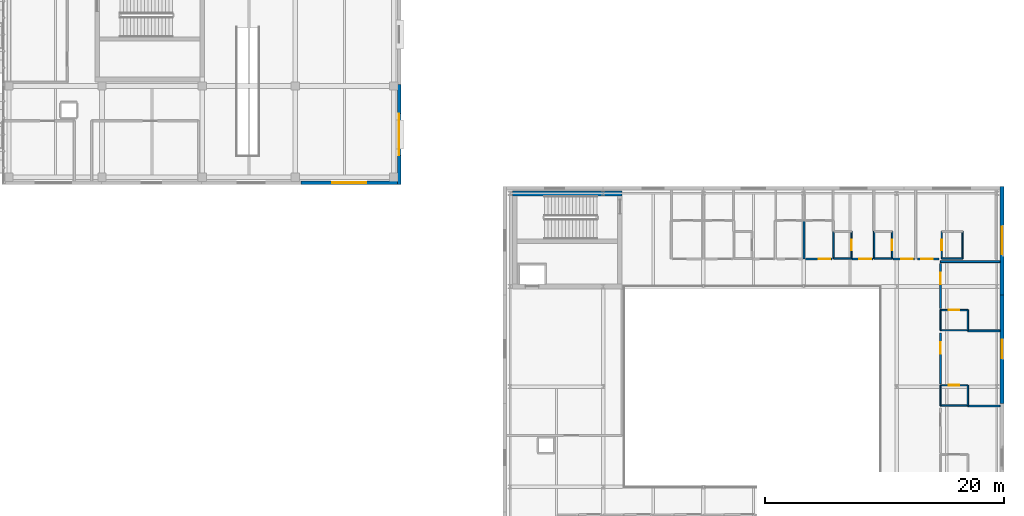
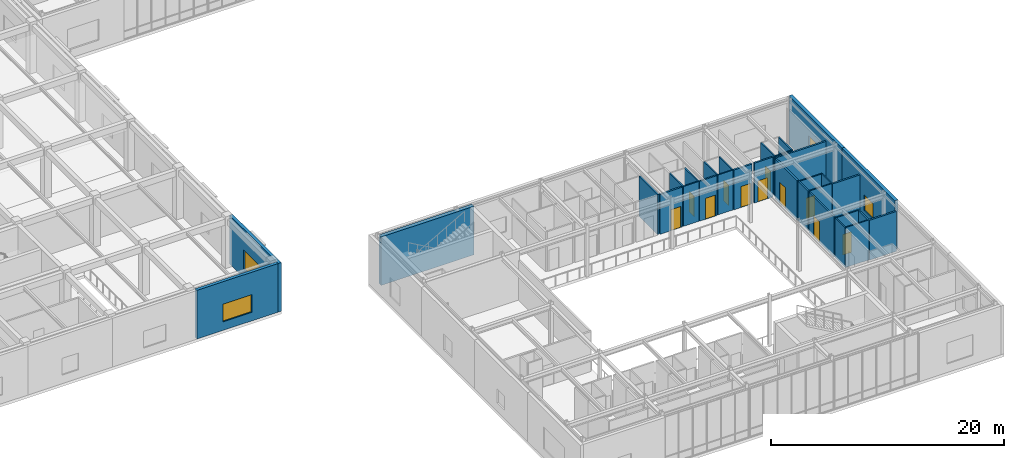
# One storey, part 117 of 139: 32 walls, 11 doors, 4 windows, 15 openings.
"""IFC4 building model written with IfcOpenShell, lengths in metres."""

from ifc_helpers import new_model, si_unit, direction, frame, frame_2d, origin, place, context, subcontext, project, spatial, rectangle, extrude, material, layer, layer_set, type_object, element, fill, save


model = new_model("IFC4")

# Units and contexts
model_context = context("Model", 3, precision=1e-05, world=origin(), true_north=direction((0.0, 1.0)))
body_context = subcontext(model_context, "Body", "Model", "MODEL_VIEW")
ifc_project = project(units=[si_unit("LENGTHUNIT", "METRE"), si_unit("AREAUNIT", "SQUARE_METRE"), si_unit("VOLUMEUNIT", "CUBIC_METRE"), si_unit("PLANEANGLEUNIT", "RADIAN"), si_unit("MASSUNIT", "GRAM", prefix="KILO")], contexts=[model_context])

# Site, building, storey
site_placement = place(None, origin())
site = spatial("IfcSite", under=ifc_project, at=site_placement, CompositionType="ELEMENT")
building_placement = place(site_placement, origin())
building = spatial("IfcBuilding", under=site, at=building_placement, Name="Zayran Congress Hotel", CompositionType="ELEMENT")
storey_placement = place(building_placement, frame((0.0, 0.0, 5.39990234375)))
storey = spatial("IfcBuildingStorey", under=building, at=storey_placement, Name="L01", CompositionType="ELEMENT", Elevation=5.39990234375)

# Wall, opening, window
ifc_material_1 = material(Name="Ajlun white limestone and insulated concrete C32/40", Category="masonry")
ifc_layer_1 = layer(ifc_material_1, 0.320068359375)
ifc_layer_set_1 = layer_set([ifc_layer_1], Name="Ajlun white limestone and insulated concrete C32/40")
wall_type_1 = type_object("IfcWallType", Name="WL-EX-320", PredefinedType="SOLIDWALL", material=ifc_layer_set_1)
wall_1_placement = place(storey_placement, frame((193.0400390625, 33.300048828125, 0.0), z_axis=(0.0, 0.0, 1.0), x_axis=(0.0, -1.0, 0.0)))
wall_1 = element("IfcWall", 1, at=wall_1_placement, inside=storey, type_object=wall_type_1, Name="EW-V3-E-L01-2", PredefinedType="SOLIDWALL", context=body_context, shape_type="SweptSolid", body=[
    extrude(rectangle(XDim=9.10009765625, YDim=0.320068359375, at=frame_2d((4.550048828125, 0.0))), origin(), (0.0, 0.0, 1.0), 5.10009765625),
])
opening_1_placement = place(wall_1_placement, frame((3.77490234375, 0.0, 0.89990234375)))
opening_1 = element("IfcOpeningElement", 2, at=opening_1_placement, cuts=wall_1, Name="Opening WN-26", PredefinedType="OPENING", context=body_context, shape_type="SweptSolid", body=[
    extrude(rectangle(XDim=1.550048828125, YDim=1.64990234375, at=frame_2d((0.77490234375, 0.824951171875))), frame((0.0, 0.169921875, 0.0), z_axis=(0.0, -1.0, 0.0), x_axis=(1.0, 0.0, 0.0)), (0.0, 0.0, 1.0), 0.340087890625),
])
ifc_material_2 = material(Name="Anodised aluminium and low-E insulated glass", Category="aluminium")
window_type_1 = type_object("IfcWindowType", Name="TP-WN-26", PartitioningType="SINGLE_PANEL", PredefinedType="WINDOW", material=ifc_material_2)
window_1_placement = place(opening_1_placement, origin())
window_1 = element("IfcWindow", 3, at=window_1_placement, inside=storey, type_object=window_type_1, Name="WIN-V3-0083", OverallHeight=1.64990234375, OverallWidth=1.550048828125, PartitioningType="SINGLE_PANEL", PredefinedType="WINDOW", context=body_context, shape_type="SweptSolid", body=[
    extrude(rectangle(XDim=1.550048828125, YDim=1.64990234375, at=frame_2d((0.77490234375, 0.824951171875))), frame((0.0, 0.030029296875, 0.0), z_axis=(0.0, -1.0, 0.0), x_axis=(1.0, 0.0, 0.0)), (0.0, 0.0, 1.0), 0.06005859375),
])
fill(opening_1, window_1)

wall_2_placement = place(storey_placement, frame((193.0400390625, 42.39990234375, 0.0), z_axis=(0.0, 0.0, 1.0), x_axis=(0.0, -1.0, 0.0)))
wall_2 = element("IfcWall", 4, at=wall_2_placement, inside=storey, type_object=wall_type_1, Name="EW-V3-E-L01-3", PredefinedType="SOLIDWALL", context=body_context, shape_type="SweptSolid", body=[
    extrude(rectangle(XDim=9.099853515625, YDim=0.320068359375, at=frame_2d((4.5498046875, 0.0))), origin(), (0.0, 0.0, 1.0), 5.10009765625),
])
opening_2_placement = place(wall_2_placement, frame((3.39990234375, 0.0, 0.89990234375)))
opening_2 = element("IfcOpeningElement", 5, at=opening_2_placement, cuts=wall_2, Name="Opening WN-28", PredefinedType="OPENING", context=body_context, shape_type="SweptSolid", body=[
    extrude(rectangle(XDim=2.300048828125, YDim=2.050048828125, at=frame_2d((1.14990234375, 1.02490234375))), frame((0.0, 0.169921875, 0.0), z_axis=(0.0, -1.0, 0.0), x_axis=(1.0, 0.0, 0.0)), (0.0, 0.0, 1.0), 0.340087890625),
])
window_type_2 = type_object("IfcWindowType", Name="TP-WN-28", PartitioningType="DOUBLE_PANEL_VERTICAL", PredefinedType="WINDOW", material=ifc_material_2)
window_2_placement = place(opening_2_placement, origin())
window_2 = element("IfcWindow", 6, at=window_2_placement, inside=storey, type_object=window_type_2, Name="WIN-V3-0085", OverallHeight=2.050048828125, OverallWidth=2.300048828125, PartitioningType="SINGLE_PANEL", PredefinedType="WINDOW", context=body_context, shape_type="SweptSolid", body=[
    extrude(rectangle(XDim=2.300048828125, YDim=2.050048828125, at=frame_2d((1.14990234375, 1.02490234375))), frame((0.0, 0.030029296875, 0.0), z_axis=(0.0, -1.0, 0.0), x_axis=(1.0, 0.0, 0.0)), (0.0, 0.0, 1.0), 0.06005859375),
])
fill(opening_2, window_2)

ifc_layer_2 = layer(ifc_material_1, 0.300048828125)
ifc_layer_set_2 = layer_set([ifc_layer_2], Name="Ajlun white limestone and insulated concrete C32/40")
wall_type_2 = type_object("IfcWallType", Name="WL-EX-300", PredefinedType="SOLIDWALL", material=ifc_layer_set_2)
wall_3_placement = place(storey_placement, frame((142.35009765625, 42.699951171875, 0.0), z_axis=(0.0, 0.0, 1.0), x_axis=(-1.0, 0.0, 0.0)))
wall_3 = element("IfcWall", 7, at=wall_3_placement, inside=storey, type_object=wall_type_2, Name="EW-V4-S-L01-3", PredefinedType="SOLIDWALL", context=body_context, shape_type="SweptSolid", body=[
    extrude(rectangle(XDim=8.06298828125, YDim=0.300048828125, at=frame_2d((4.031494140625, 0.0))), origin(), (0.0, 0.0, 1.0), 5.10009765625),
])
opening_3_placement = place(wall_3_placement, frame((2.60693359375, 0.0, 0.89990234375)))
opening_3 = element("IfcOpeningElement", 8, at=opening_3_placement, cuts=wall_3, Name="Opening WN-11", PredefinedType="OPENING", context=body_context, shape_type="SweptSolid", body=[
    extrude(rectangle(XDim=2.85009765625, YDim=1.85009765625, at=frame_2d((1.425048828125, 0.925048828125))), frame((0.0, 0.159912109375, 0.0), z_axis=(0.0, -1.0, 0.0), x_axis=(1.0, 0.0, 0.0)), (0.0, 0.0, 1.0), 0.320068359375),
])
window_type_3 = type_object("IfcWindowType", Name="TP-WN-11", PartitioningType="TRIPLE_PANEL_VERTICAL", PredefinedType="WINDOW", material=ifc_material_2)
window_3_placement = place(opening_3_placement, origin())
window_3 = element("IfcWindow", 9, at=window_3_placement, inside=storey, type_object=window_type_3, Name="WIN-V4-0123", OverallHeight=1.85009765625, OverallWidth=2.85009765625, PartitioningType="SINGLE_PANEL", PredefinedType="WINDOW", context=body_context, shape_type="SweptSolid", body=[
    extrude(rectangle(XDim=2.85009765625, YDim=1.85009765625, at=frame_2d((1.425048828125, 0.925048828125))), frame((0.0, 0.030029296875, 0.0), z_axis=(0.0, -1.0, 0.0), x_axis=(1.0, 0.0, 0.0)), (0.0, 0.0, 1.0), 0.06005859375),
])
fill(opening_3, window_3)

wall_4_placement = place(storey_placement, frame((142.5, 50.930908203125, 0.0), z_axis=(0.0, 0.0, 1.0), x_axis=(0.0, -1.0, 0.0)))
wall_4 = element("IfcWall", 10, at=wall_4_placement, inside=storey, type_object=wall_type_2, Name="EW-V4-E-L01-0", PredefinedType="SOLIDWALL", context=body_context, shape_type="SweptSolid", body=[
    extrude(rectangle(XDim=8.380859375, YDim=0.300048828125, at=frame_2d((4.1904296875, 0.0))), origin(), (0.0, 0.0, 1.0), 5.10009765625),
])
opening_4_placement = place(wall_4_placement, frame((2.44091796875, 0.0, 0.89990234375)))
opening_4 = element("IfcOpeningElement", 11, at=opening_4_placement, cuts=wall_4, Name="Opening WN-13", PredefinedType="OPENING", context=body_context, shape_type="SweptSolid", body=[
    extrude(rectangle(XDim=3.5, YDim=2.0, at=frame_2d((1.75, 1.0))), frame((0.0, 0.159912109375, 0.0), z_axis=(0.0, -1.0, 0.0), x_axis=(1.0, 0.0, 0.0)), (0.0, 0.0, 1.0), 0.320068359375),
])
window_type_4 = type_object("IfcWindowType", Name="TP-WN-13", PartitioningType="TRIPLE_PANEL_VERTICAL", PredefinedType="WINDOW", material=ifc_material_2)
window_4_placement = place(opening_4_placement, origin())
window_4 = element("IfcWindow", 12, at=window_4_placement, inside=storey, type_object=window_type_4, Name="WIN-V4-0125", OverallHeight=2.0, OverallWidth=3.5, PartitioningType="SINGLE_PANEL", PredefinedType="WINDOW", context=body_context, shape_type="SweptSolid", body=[
    extrude(rectangle(XDim=3.5, YDim=2.0, at=frame_2d((1.75, 1.0))), frame((0.0, 0.030029296875, 0.0), z_axis=(0.0, -1.0, 0.0), x_axis=(1.0, 0.0, 0.0)), (0.0, 0.0, 1.0), 0.06005859375),
])
fill(opening_4, window_4)

# Wall
ifc_material_3 = material(Name="Concrete C40/50", Category="concrete")
ifc_layer_3 = layer(ifc_material_3, 0.39990234375)
ifc_layer_set_3 = layer_set([ifc_layer_3], Name="Concrete C40/50")
wall_type_3 = type_object("IfcWallType", Name="WL-SH-400", PredefinedType="SHEAR", material=ifc_layer_set_3)
wall_5_placement = place(storey_placement, frame((161.199951171875, 41.784912109375, 0.0), z_axis=(0.0, 0.0, 1.0), x_axis=(-1.0, 0.0, 0.0)))
element("IfcWall", 13, at=wall_5_placement, inside=storey, type_object=wall_type_3, Name="CWALL-C-V3W-L01-N", PredefinedType="SHEAR", context=body_context, shape_type="SweptSolid", body=[
    extrude(rectangle(XDim=9.199951171875, YDim=0.39990234375, at=frame_2d((4.60009765625, 0.0))), origin(), (0.0, 0.0, 1.0), 5.080078125),
])

# Wall, opening, door
ifc_material_4 = material(Name="Acoustic twin-stud gypsum partition", Category="gypsum")
ifc_layer_4 = layer(ifc_material_4, 0.159912109375)
ifc_layer_set_4 = layer_set([ifc_layer_4], Name="Acoustic twin-stud gypsum partition")
wall_type_4 = type_object("IfcWallType", Name="WL-PT-160", PredefinedType="PARTITIONING", material=ifc_layer_set_4)
wall_6_placement = place(storey_placement, frame((187.8701171875, 25.840087890625, 0.0), z_axis=(0.0, 0.0, 1.0), x_axis=(0.0, 1.0, 0.0)))
wall_6 = element("IfcWall", 14, at=wall_6_placement, inside=storey, type_object=wall_type_4, Name="IW-L01-0426", PredefinedType="PARTITIONING", context=body_context, shape_type="SweptSolid", body=[
    extrude(rectangle(XDim=4.280029296875, YDim=0.159912109375, at=frame_2d((2.14013671875, 0.0))), origin(), (0.0, 0.0, 1.0), 4.18017578125),
])
opening_5_placement = place(wall_6_placement, frame((2.512939453125, 0.0, 0.0)))
opening_5 = element("IfcOpeningElement", 15, at=opening_5_placement, cuts=wall_6, Name="Opening DR-SP-01", PredefinedType="OPENING", context=body_context, shape_type="SweptSolid", body=[
    extrude(rectangle(XDim=0.97998046875, YDim=2.199951171875, at=frame_2d((0.489990234375, 1.10009765625))), frame((0.0, 0.08984375, 0.0), z_axis=(0.0, -1.0, 0.0), x_axis=(1.0, 0.0, 0.0)), (0.0, 0.0, 1.0), 0.179931640625),
])
ifc_material_5 = material(Name="Teak thermal spa suite door", Category="wood")
door_type_1 = type_object("IfcDoorType", Name="TP-DR-SP-01", OperationType="NOTDEFINED", PredefinedType="DOOR", material=ifc_material_5)
door_1_placement = place(opening_5_placement, origin())
door_1 = element("IfcDoor", 16, at=door_1_placement, inside=storey, type_object=door_type_1, Name="Treatment Suite 07 Door", OperationType="SINGLE_SWING_RIGHT", OverallHeight=2.199951171875, OverallWidth=0.97998046875, PredefinedType="DOOR", context=body_context, shape_type="SweptSolid", body=[
    extrude(rectangle(XDim=0.97998046875, YDim=2.199951171875, at=frame_2d((0.489990234375, 1.10009765625))), frame((0.0, 0.02490234375, 0.0), z_axis=(0.0, -1.0, 0.0), x_axis=(1.0, 0.0, 0.0)), (0.0, 0.0, 1.0), 0.050048828125),
])
fill(opening_5, door_1)

wall_7_placement = place(storey_placement, frame((187.8701171875, 32.139892578125, 0.0), z_axis=(0.0, 0.0, 1.0), x_axis=(0.0, 1.0, 0.0)))
wall_7 = element("IfcWall", 17, at=wall_7_placement, inside=storey, type_object=wall_type_4, Name="IW-L01-0427", PredefinedType="PARTITIONING", context=body_context, shape_type="SweptSolid", body=[
    extrude(rectangle(XDim=3.780029296875, YDim=0.159912109375, at=frame_2d((1.89013671875, 0.0))), origin(), (0.0, 0.0, 1.0), 4.18017578125),
])
opening_6_placement = place(wall_7_placement, frame((2.030029296875, 0.0, 0.0)))
opening_6 = element("IfcOpeningElement", 18, at=opening_6_placement, cuts=wall_7, Name="Opening DR-SP-01", PredefinedType="OPENING", context=body_context, shape_type="SweptSolid", body=[
    extrude(rectangle(XDim=0.97998046875, YDim=2.199951171875, at=frame_2d((0.489990234375, 1.10009765625))), frame((0.0, 0.08984375, 0.0), z_axis=(0.0, -1.0, 0.0), x_axis=(1.0, 0.0, 0.0)), (0.0, 0.0, 1.0), 0.179931640625),
])
door_2_placement = place(opening_6_placement, origin())
door_2 = element("IfcDoor", 19, at=door_2_placement, inside=storey, type_object=door_type_1, Name="Treatment Suite 08 Door", OperationType="SINGLE_SWING_LEFT", OverallHeight=2.199951171875, OverallWidth=0.97998046875, PredefinedType="DOOR", context=body_context, shape_type="SweptSolid", body=[
    extrude(rectangle(XDim=0.97998046875, YDim=2.199951171875, at=frame_2d((0.489990234375, 1.10009765625))), frame((0.0, 0.02490234375, 0.0), z_axis=(0.0, -1.0, 0.0), x_axis=(1.0, 0.0, 0.0)), (0.0, 0.0, 1.0), 0.050048828125),
])
fill(opening_6, door_2)

wall_8_placement = place(storey_placement, frame((176.570068359375, 36.320068359375, 0.0), z_axis=(0.0, 0.0, 1.0), x_axis=(1.0, 0.0, 0.0)))
wall_8 = element("IfcWall", 20, at=wall_8_placement, inside=storey, type_object=wall_type_4, Name="IW-L01-0432", PredefinedType="PARTITIONING", context=body_context, shape_type="SweptSolid", body=[
    extrude(rectangle(XDim=2.2099609375, YDim=0.159912109375, at=frame_2d((1.10498046875, 0.0))), origin(), (0.0, 0.0, 1.0), 4.18017578125),
])
opening_7_placement = place(wall_8_placement, frame((1.090087890625, 0.0, 0.0)))
opening_7 = element("IfcOpeningElement", 21, at=opening_7_placement, cuts=wall_8, Name="Opening DR-SP-01", PredefinedType="OPENING", context=body_context, shape_type="SweptSolid", body=[
    extrude(rectangle(XDim=0.97998046875, YDim=2.199951171875, at=frame_2d((0.489990234375, 1.10009765625))), frame((0.0, 0.08984375, 0.0), z_axis=(0.0, -1.0, 0.0), x_axis=(1.0, 0.0, 0.0)), (0.0, 0.0, 1.0), 0.179931640625),
])
door_3_placement = place(opening_7_placement, origin())
door_3 = element("IfcDoor", 22, at=door_3_placement, inside=storey, type_object=door_type_1, Name="Treatment Suite 13 Door", OperationType="SINGLE_SWING_RIGHT", OverallHeight=2.199951171875, OverallWidth=0.97998046875, PredefinedType="DOOR", context=body_context, shape_type="SweptSolid", body=[
    extrude(rectangle(XDim=0.97998046875, YDim=2.199951171875, at=frame_2d((0.489990234375, 1.10009765625))), frame((0.0, 0.02490234375, 0.0), z_axis=(0.0, -1.0, 0.0), x_axis=(1.0, 0.0, 0.0)), (0.0, 0.0, 1.0), 0.050048828125),
])
fill(opening_7, door_3)

wall_9_placement = place(storey_placement, frame((180.47998046875, 36.320068359375, 0.0), z_axis=(0.0, 0.0, 1.0), x_axis=(1.0, 0.0, 0.0)))
wall_9 = element("IfcWall", 23, at=wall_9_placement, inside=storey, type_object=wall_type_4, Name="IW-L01-0433", PredefinedType="PARTITIONING", context=body_context, shape_type="SweptSolid", body=[
    extrude(rectangle(XDim=1.719970703125, YDim=0.159912109375, at=frame_2d((0.85986328125, 0.0))), origin(), (0.0, 0.0, 1.0), 4.18017578125),
])
opening_8_placement = place(wall_9_placement, frame((0.60009765625, 0.0, 0.0)))
opening_8 = element("IfcOpeningElement", 24, at=opening_8_placement, cuts=wall_9, Name="Opening DR-SP-01", PredefinedType="OPENING", context=body_context, shape_type="SweptSolid", body=[
    extrude(rectangle(XDim=0.97998046875, YDim=2.199951171875, at=frame_2d((0.489990234375, 1.10009765625))), frame((0.0, 0.08984375, 0.0), z_axis=(0.0, -1.0, 0.0), x_axis=(1.0, 0.0, 0.0)), (0.0, 0.0, 1.0), 0.179931640625),
])
door_4_placement = place(opening_8_placement, origin())
door_4 = element("IfcDoor", 25, at=door_4_placement, inside=storey, type_object=door_type_1, Name="Treatment Suite 14 Door", OperationType="SINGLE_SWING_LEFT", OverallHeight=2.199951171875, OverallWidth=0.97998046875, PredefinedType="DOOR", context=body_context, shape_type="SweptSolid", body=[
    extrude(rectangle(XDim=0.97998046875, YDim=2.199951171875, at=frame_2d((0.489990234375, 1.10009765625))), frame((0.0, 0.02490234375, 0.0), z_axis=(0.0, -1.0, 0.0), x_axis=(1.0, 0.0, 0.0)), (0.0, 0.0, 1.0), 0.050048828125),
])
fill(opening_8, door_4)

wall_10_placement = place(storey_placement, frame((183.8798828125, 36.320068359375, 0.0), z_axis=(0.0, 0.0, 1.0), x_axis=(1.0, 0.0, 0.0)))
wall_10 = element("IfcWall", 26, at=wall_10_placement, inside=storey, type_object=wall_type_4, Name="IW-L01-0434", PredefinedType="PARTITIONING", context=body_context, shape_type="SweptSolid", body=[
    extrude(rectangle(XDim=1.820068359375, YDim=0.159912109375, at=frame_2d((0.91015625, 0.0))), origin(), (0.0, 0.0, 1.0), 4.18017578125),
])
opening_9_placement = place(wall_10_placement, frame((0.699951171875, 0.0, 0.0)))
opening_9 = element("IfcOpeningElement", 27, at=opening_9_placement, cuts=wall_10, Name="Opening DR-SP-01", PredefinedType="OPENING", context=body_context, shape_type="SweptSolid", body=[
    extrude(rectangle(XDim=0.97998046875, YDim=2.199951171875, at=frame_2d((0.489990234375, 1.10009765625))), frame((0.0, 0.08984375, 0.0), z_axis=(0.0, -1.0, 0.0), x_axis=(1.0, 0.0, 0.0)), (0.0, 0.0, 1.0), 0.179931640625),
])
door_5_placement = place(opening_9_placement, origin())
door_5 = element("IfcDoor", 28, at=door_5_placement, inside=storey, type_object=door_type_1, Name="Treatment Suite 15 Door", OperationType="SINGLE_SWING_RIGHT", OverallHeight=2.199951171875, OverallWidth=0.97998046875, PredefinedType="DOOR", context=body_context, shape_type="SweptSolid", body=[
    extrude(rectangle(XDim=0.97998046875, YDim=2.199951171875, at=frame_2d((0.489990234375, 1.10009765625))), frame((0.0, 0.02490234375, 0.0), z_axis=(0.0, -1.0, 0.0), x_axis=(1.0, 0.0, 0.0)), (0.0, 0.0, 1.0), 0.050048828125),
])
fill(opening_9, door_5)

wall_11_placement = place(storey_placement, frame((185.929931640625, 36.320068359375, 0.0), z_axis=(0.0, 0.0, 1.0), x_axis=(1.0, 0.0, 0.0)))
wall_11 = element("IfcWall", 29, at=wall_11_placement, inside=storey, type_object=wall_type_4, Name="IW-L01-0435", PredefinedType="PARTITIONING", context=body_context, shape_type="SweptSolid", body=[
    extrude(rectangle(XDim=1.840087890625, YDim=0.159912109375, at=frame_2d((0.919921875, 0.0))), origin(), (0.0, 0.0, 1.0), 4.18017578125),
])
opening_10_placement = place(wall_11_placement, frame((0.325927734375, 0.0, 0.0)))
opening_10 = element("IfcOpeningElement", 30, at=opening_10_placement, cuts=wall_11, Name="Opening DR-SP-01", PredefinedType="OPENING", context=body_context, shape_type="SweptSolid", body=[
    extrude(rectangle(XDim=0.97998046875, YDim=2.199951171875, at=frame_2d((0.489990234375, 1.10009765625))), frame((0.0, 0.08984375, 0.0), z_axis=(0.0, -1.0, 0.0), x_axis=(1.0, 0.0, 0.0)), (0.0, 0.0, 1.0), 0.179931640625),
])
door_6_placement = place(opening_10_placement, origin())
door_6 = element("IfcDoor", 31, at=door_6_placement, inside=storey, type_object=door_type_1, Name="Treatment Suite 16 Door", OperationType="SINGLE_SWING_LEFT", OverallHeight=2.199951171875, OverallWidth=0.97998046875, PredefinedType="DOOR", context=body_context, shape_type="SweptSolid", body=[
    extrude(rectangle(XDim=0.97998046875, YDim=2.199951171875, at=frame_2d((0.489990234375, 1.10009765625))), frame((0.0, 0.02490234375, 0.0), z_axis=(0.0, -1.0, 0.0), x_axis=(1.0, 0.0, 0.0)), (0.0, 0.0, 1.0), 0.050048828125),
])
fill(opening_10, door_6)

# Walls
for number, where, z_axis, x_axis, name in (
    (32, (190.179931640625, 23.97998046875, 0.0), (0.0, 0.0, 1.0), (1.0, 0.0, 0.0), "IW-L01-1710"),
    (33, (190.179931640625, 30.280029296875, 0.0), (0.0, 0.0, 1.0), (1.0, 0.0, 0.0), "IW-L01-1711"),
):
    element("IfcWall", number, at=place(storey_placement, frame(where, z_axis=z_axis, x_axis=x_axis)), inside=storey, type_object=wall_type_4, Name=name, PredefinedType="PARTITIONING", context=body_context, shape_type="SweptSolid", body=[
        extrude(rectangle(XDim=2.699951171875, YDim=0.159912109375, at=frame_2d((1.35009765625, 0.0))), origin(), (0.0, 0.0, 1.0), 4.18017578125),
    ])
wall_12_placement = place(storey_placement, frame((187.8701171875, 36.080078125, 0.0), z_axis=(0.0, 0.0, 1.0), x_axis=(1.0, 0.0, 0.0)))
element("IfcWall", 34, at=wall_12_placement, inside=storey, type_object=wall_type_4, Name="IW-L01-1712", PredefinedType="PARTITIONING", context=body_context, shape_type="SweptSolid", body=[
    extrude(rectangle(XDim=5.009765625, YDim=0.159912109375, at=frame_2d((2.5048828125, 0.0))), origin(), (0.0, 0.0, 1.0), 4.18017578125),
])
wall_13_placement = place(storey_placement, frame((176.43994140625, 36.320068359375, 0.0), z_axis=(0.0, 0.0, 1.0), x_axis=(0.0, 1.0, 0.0)))
element("IfcWall", 35, at=wall_13_placement, inside=storey, type_object=wall_type_4, Name="IW-L01-1717", PredefinedType="PARTITIONING", context=body_context, shape_type="SweptSolid", body=[
    extrude(rectangle(XDim=3.199951171875, YDim=0.159912109375, at=frame_2d((1.60009765625, 0.0))), origin(), (0.0, 0.0, 1.0), 4.18017578125),
])

# Wall, opening, door
ifc_material_6 = material(Name="Moisture-resistant bathroom partition", Category="gypsum")
ifc_layer_5 = layer(ifc_material_6, 0.1201171875)
ifc_layer_set_5 = layer_set([ifc_layer_5], Name="Moisture-resistant bathroom partition")
wall_type_5 = type_object("IfcWallType", Name="WL-PT-120", PredefinedType="PARTITIONING", material=ifc_layer_set_5)
wall_14_placement = place(storey_placement, frame((187.8701171875, 25.719970703125, 0.0), z_axis=(0.0, 0.0, 1.0), x_axis=(1.0, 0.0, 0.0)))
wall_14 = element("IfcWall", 36, at=wall_14_placement, inside=storey, type_object=wall_type_5, Name="IW-L01-0007", PredefinedType="PARTITIONING", context=body_context, shape_type="SweptSolid", body=[
    extrude(rectangle(XDim=2.309814453125, YDim=0.1201171875, at=frame_2d((1.15478515625, 0.0))), origin(), (0.0, 0.0, 1.0), 4.18017578125),
])
opening_11_placement = place(wall_14_placement, frame((0.715087890625, 0.0, 0.0)))
opening_11 = element("IfcOpeningElement", 37, at=opening_11_placement, cuts=wall_14, Name="Opening DR-BT-01", PredefinedType="OPENING", context=body_context, shape_type="SweptSolid", body=[
    extrude(rectangle(XDim=0.8798828125, YDim=2.14990234375, at=frame_2d((0.43994140625, 1.074951171875))), frame((0.0, 0.070068359375, 0.0), z_axis=(0.0, -1.0, 0.0), x_axis=(1.0, 0.0, 0.0)), (0.0, 0.0, 1.0), 0.14013671875),
])
ifc_material_7 = material(Name="Moisture-resistant oak en-suite door", Category="wood")
door_type_2 = type_object("IfcDoorType", Name="TP-DR-BT-01", OperationType="NOTDEFINED", PredefinedType="DOOR", material=ifc_material_7)
door_7_placement = place(opening_11_placement, origin())
door_7 = element("IfcDoor", 38, at=door_7_placement, inside=storey, type_object=door_type_2, Name="En-Suite Bathroom Spa 07 Door", OperationType="SINGLE_SWING_RIGHT", OverallHeight=2.14990234375, OverallWidth=0.8798828125, PredefinedType="DOOR", context=body_context, shape_type="SweptSolid", body=[
    extrude(rectangle(XDim=0.8798828125, YDim=2.14990234375, at=frame_2d((0.43994140625, 1.074951171875))), frame((0.0, 0.02490234375, 0.0), z_axis=(0.0, -1.0, 0.0), x_axis=(1.0, 0.0, 0.0)), (0.0, 0.0, 1.0), 0.050048828125),
])
fill(opening_11, door_7)

wall_15_placement = place(storey_placement, frame((187.8701171875, 32.02001953125, 0.0), z_axis=(0.0, 0.0, 1.0), x_axis=(1.0, 0.0, 0.0)))
wall_15 = element("IfcWall", 39, at=wall_15_placement, inside=storey, type_object=wall_type_5, Name="IW-L01-0008", PredefinedType="PARTITIONING", context=body_context, shape_type="SweptSolid", body=[
    extrude(rectangle(XDim=2.309814453125, YDim=0.1201171875, at=frame_2d((1.15478515625, 0.0))), origin(), (0.0, 0.0, 1.0), 4.18017578125),
])
opening_12_placement = place(wall_15_placement, frame((0.715087890625, 0.0, 0.0)))
opening_12 = element("IfcOpeningElement", 40, at=opening_12_placement, cuts=wall_15, Name="Opening DR-BT-01", PredefinedType="OPENING", context=body_context, shape_type="SweptSolid", body=[
    extrude(rectangle(XDim=0.8798828125, YDim=2.14990234375, at=frame_2d((0.43994140625, 1.074951171875))), frame((0.0, 0.070068359375, 0.0), z_axis=(0.0, -1.0, 0.0), x_axis=(1.0, 0.0, 0.0)), (0.0, 0.0, 1.0), 0.14013671875),
])
door_8_placement = place(opening_12_placement, origin())
door_8 = element("IfcDoor", 41, at=door_8_placement, inside=storey, type_object=door_type_2, Name="En-Suite Bathroom Spa 08 Door", OperationType="SINGLE_SWING_LEFT", OverallHeight=2.14990234375, OverallWidth=0.8798828125, PredefinedType="DOOR", context=body_context, shape_type="SweptSolid", body=[
    extrude(rectangle(XDim=0.8798828125, YDim=2.14990234375, at=frame_2d((0.43994140625, 1.074951171875))), frame((0.0, 0.02490234375, 0.0), z_axis=(0.0, -1.0, 0.0), x_axis=(1.0, 0.0, 0.0)), (0.0, 0.0, 1.0), 0.050048828125),
])
fill(opening_12, door_8)

wall_16_placement = place(storey_placement, frame((180.419921875, 36.320068359375, 0.0), z_axis=(0.0, 0.0, 1.0), x_axis=(0.0, 1.0, 0.0)))
wall_16 = element("IfcWall", 42, at=wall_16_placement, inside=storey, type_object=wall_type_5, Name="IW-L01-0014", PredefinedType="PARTITIONING", context=body_context, shape_type="SweptSolid", body=[
    extrude(rectangle(XDim=2.309814453125, YDim=0.1201171875, at=frame_2d((1.15478515625, 0.0))), origin(), (0.0, 0.0, 1.0), 4.18017578125),
])
opening_13_placement = place(wall_16_placement, frame((0.715087890625, 0.0, 0.0)))
opening_13 = element("IfcOpeningElement", 43, at=opening_13_placement, cuts=wall_16, Name="Opening DR-BT-01", PredefinedType="OPENING", context=body_context, shape_type="SweptSolid", body=[
    extrude(rectangle(XDim=0.8798828125, YDim=2.14990234375, at=frame_2d((0.43994140625, 1.074951171875))), frame((0.0, 0.070068359375, 0.0), z_axis=(0.0, -1.0, 0.0), x_axis=(1.0, 0.0, 0.0)), (0.0, 0.0, 1.0), 0.14013671875),
])
door_9_placement = place(opening_13_placement, origin())
door_9 = element("IfcDoor", 44, at=door_9_placement, inside=storey, type_object=door_type_2, Name="En-Suite Bathroom Spa 14 Door", OperationType="SINGLE_SWING_LEFT", OverallHeight=2.14990234375, OverallWidth=0.8798828125, PredefinedType="DOOR", context=body_context, shape_type="SweptSolid", body=[
    extrude(rectangle(XDim=0.8798828125, YDim=2.14990234375, at=frame_2d((0.43994140625, 1.074951171875))), frame((0.0, 0.02490234375, 0.0), z_axis=(0.0, -1.0, 0.0), x_axis=(1.0, 0.0, 0.0)), (0.0, 0.0, 1.0), 0.050048828125),
])
fill(opening_13, door_9)

wall_17_placement = place(storey_placement, frame((183.820068359375, 36.320068359375, 0.0), z_axis=(0.0, 0.0, 1.0), x_axis=(0.0, 1.0, 0.0)))
wall_17 = element("IfcWall", 45, at=wall_17_placement, inside=storey, type_object=wall_type_5, Name="IW-L01-0015", PredefinedType="PARTITIONING", context=body_context, shape_type="SweptSolid", body=[
    extrude(rectangle(XDim=2.309814453125, YDim=0.1201171875, at=frame_2d((1.15478515625, 0.0))), origin(), (0.0, 0.0, 1.0), 4.18017578125),
])
opening_14_placement = place(wall_17_placement, frame((0.715087890625, 0.0, 0.0)))
opening_14 = element("IfcOpeningElement", 46, at=opening_14_placement, cuts=wall_17, Name="Opening DR-BT-01", PredefinedType="OPENING", context=body_context, shape_type="SweptSolid", body=[
    extrude(rectangle(XDim=0.8798828125, YDim=2.14990234375, at=frame_2d((0.43994140625, 1.074951171875))), frame((0.0, 0.070068359375, 0.0), z_axis=(0.0, -1.0, 0.0), x_axis=(1.0, 0.0, 0.0)), (0.0, 0.0, 1.0), 0.14013671875),
])
door_10_placement = place(opening_14_placement, origin())
door_10 = element("IfcDoor", 47, at=door_10_placement, inside=storey, type_object=door_type_2, Name="En-Suite Bathroom Spa 15 Door", OperationType="SINGLE_SWING_RIGHT", OverallHeight=2.14990234375, OverallWidth=0.8798828125, PredefinedType="DOOR", context=body_context, shape_type="SweptSolid", body=[
    extrude(rectangle(XDim=0.8798828125, YDim=2.14990234375, at=frame_2d((0.43994140625, 1.074951171875))), frame((0.0, 0.02490234375, 0.0), z_axis=(0.0, -1.0, 0.0), x_axis=(1.0, 0.0, 0.0)), (0.0, 0.0, 1.0), 0.050048828125),
])
fill(opening_14, door_10)

wall_18_placement = place(storey_placement, frame((187.97998046875, 36.320068359375, 0.0), z_axis=(0.0, 0.0, 1.0), x_axis=(0.0, 1.0, 0.0)))
wall_18 = element("IfcWall", 48, at=wall_18_placement, inside=storey, type_object=wall_type_5, Name="IW-L01-0016", PredefinedType="PARTITIONING", context=body_context, shape_type="SweptSolid", body=[
    extrude(rectangle(XDim=2.309814453125, YDim=0.1201171875, at=frame_2d((1.15478515625, 0.0))), origin(), (0.0, 0.0, 1.0), 4.18017578125),
])
opening_15_placement = place(wall_18_placement, frame((0.715087890625, 0.0, 0.0)))
opening_15 = element("IfcOpeningElement", 49, at=opening_15_placement, cuts=wall_18, Name="Opening DR-BT-01", PredefinedType="OPENING", context=body_context, shape_type="SweptSolid", body=[
    extrude(rectangle(XDim=0.8798828125, YDim=2.14990234375, at=frame_2d((0.43994140625, 1.074951171875))), frame((0.0, 0.070068359375, 0.0), z_axis=(0.0, -1.0, 0.0), x_axis=(1.0, 0.0, 0.0)), (0.0, 0.0, 1.0), 0.14013671875),
])
door_11_placement = place(opening_15_placement, origin())
door_11 = element("IfcDoor", 50, at=door_11_placement, inside=storey, type_object=door_type_2, Name="En-Suite Bathroom Spa 16 Door", OperationType="SINGLE_SWING_LEFT", OverallHeight=2.14990234375, OverallWidth=0.8798828125, PredefinedType="DOOR", context=body_context, shape_type="SweptSolid", body=[
    extrude(rectangle(XDim=0.8798828125, YDim=2.14990234375, at=frame_2d((0.43994140625, 1.074951171875))), frame((0.0, 0.02490234375, 0.0), z_axis=(0.0, -1.0, 0.0), x_axis=(1.0, 0.0, 0.0)), (0.0, 0.0, 1.0), 0.050048828125),
])
fill(opening_15, door_11)

# Walls
wall_19_placement = place(storey_placement, frame((187.8701171875, 24.030029296875, 0.0), z_axis=(0.0, 0.0, 1.0), x_axis=(1.0, 0.0, 0.0)))
element("IfcWall", 51, at=wall_19_placement, inside=storey, type_object=wall_type_5, Name="IW-L01-0877", PredefinedType="PARTITIONING", context=body_context, shape_type="SweptSolid", body=[
    extrude(rectangle(XDim=2.309814453125, YDim=0.1201171875, at=frame_2d((1.15478515625, 0.0))), origin(), (0.0, 0.0, 1.0), 4.18017578125),
])
for number, where, z_axis, x_axis, name in (
    (52, (187.8798828125, 24.02001953125, 0.0), (0.0, 0.0, 1.0), (0.0, 1.0, 0.0), "IW-L01-0878"),
    (53, (190.169921875, 24.02001953125, 0.0), (0.0, 0.0, 1.0), (0.0, 1.0, 0.0), "IW-L01-0879"),
):
    element("IfcWall", number, at=place(storey_placement, frame(where, z_axis=z_axis, x_axis=x_axis)), inside=storey, type_object=wall_type_5, Name=name, PredefinedType="PARTITIONING", context=body_context, shape_type="SweptSolid", body=[
        extrude(rectangle(XDim=1.7099609375, YDim=0.1201171875, at=frame_2d((0.85498046875, 0.0))), origin(), (0.0, 0.0, 1.0), 4.18017578125),
    ])
wall_20_placement = place(storey_placement, frame((187.8701171875, 30.330078125, 0.0), z_axis=(0.0, 0.0, 1.0), x_axis=(1.0, 0.0, 0.0)))
element("IfcWall", 54, at=wall_20_placement, inside=storey, type_object=wall_type_5, Name="IW-L01-0880", PredefinedType="PARTITIONING", context=body_context, shape_type="SweptSolid", body=[
    extrude(rectangle(XDim=2.309814453125, YDim=0.1201171875, at=frame_2d((1.15478515625, 0.0))), origin(), (0.0, 0.0, 1.0), 4.18017578125),
])
for number, where, z_axis, x_axis, name in (
    (55, (187.8798828125, 30.320068359375, 0.0), (0.0, 0.0, 1.0), (0.0, 1.0, 0.0), "IW-L01-0881"),
    (56, (190.169921875, 30.320068359375, 0.0), (0.0, 0.0, 1.0), (0.0, 1.0, 0.0), "IW-L01-0882"),
):
    element("IfcWall", number, at=place(storey_placement, frame(where, z_axis=z_axis, x_axis=x_axis)), inside=storey, type_object=wall_type_5, Name=name, PredefinedType="PARTITIONING", context=body_context, shape_type="SweptSolid", body=[
        extrude(rectangle(XDim=1.7099609375, YDim=0.1201171875, at=frame_2d((0.85498046875, 0.0))), origin(), (0.0, 0.0, 1.0), 4.18017578125),
    ])
wall_21_placement = place(storey_placement, frame((178.909912109375, 36.330078125, 0.0), z_axis=(0.0, 0.0, 1.0), x_axis=(1.0, 0.0, 0.0)))
element("IfcWall", 57, at=wall_21_placement, inside=storey, type_object=wall_type_5, Name="IW-L01-0892", PredefinedType="PARTITIONING", context=body_context, shape_type="SweptSolid", body=[
    extrude(rectangle(XDim=1.52001953125, YDim=0.1201171875, at=frame_2d((0.760009765625, 0.0))), origin(), (0.0, 0.0, 1.0), 4.18017578125),
])
wall_22_placement = place(storey_placement, frame((178.919921875, 36.320068359375, 0.0), z_axis=(0.0, 0.0, 1.0), x_axis=(0.0, 1.0, 0.0)))
element("IfcWall", 58, at=wall_22_placement, inside=storey, type_object=wall_type_5, Name="IW-L01-0894", PredefinedType="PARTITIONING", context=body_context, shape_type="SweptSolid", body=[
    extrude(rectangle(XDim=2.309814453125, YDim=0.1201171875, at=frame_2d((1.15478515625, 0.0))), origin(), (0.0, 0.0, 1.0), 4.18017578125),
])
wall_23_placement = place(storey_placement, frame((182.31005859375, 36.330078125, 0.0), z_axis=(0.0, 0.0, 1.0), x_axis=(1.0, 0.0, 0.0)))
element("IfcWall", 59, at=wall_23_placement, inside=storey, type_object=wall_type_5, Name="IW-L01-0895", PredefinedType="PARTITIONING", context=body_context, shape_type="SweptSolid", body=[
    extrude(rectangle(XDim=1.52001953125, YDim=0.1201171875, at=frame_2d((0.760009765625, 0.0))), origin(), (0.0, 0.0, 1.0), 4.18017578125),
])
wall_24_placement = place(storey_placement, frame((182.320068359375, 36.320068359375, 0.0), z_axis=(0.0, 0.0, 1.0), x_axis=(0.0, 1.0, 0.0)))
element("IfcWall", 60, at=wall_24_placement, inside=storey, type_object=wall_type_5, Name="IW-L01-0897", PredefinedType="PARTITIONING", context=body_context, shape_type="SweptSolid", body=[
    extrude(rectangle(XDim=2.309814453125, YDim=0.1201171875, at=frame_2d((1.15478515625, 0.0))), origin(), (0.0, 0.0, 1.0), 4.18017578125),
])
wall_25_placement = place(storey_placement, frame((187.969970703125, 36.330078125, 0.0), z_axis=(0.0, 0.0, 1.0), x_axis=(1.0, 0.0, 0.0)))
element("IfcWall", 61, at=wall_25_placement, inside=storey, type_object=wall_type_5, Name="IW-L01-0898", PredefinedType="PARTITIONING", context=body_context, shape_type="SweptSolid", body=[
    extrude(rectangle(XDim=1.760009765625, YDim=0.1201171875, at=frame_2d((0.8798828125, 0.0))), origin(), (0.0, 0.0, 1.0), 4.18017578125),
])
wall_26_placement = place(storey_placement, frame((189.719970703125, 36.320068359375, 0.0), z_axis=(0.0, 0.0, 1.0), x_axis=(0.0, 1.0, 0.0)))
element("IfcWall", 62, at=wall_26_placement, inside=storey, type_object=wall_type_5, Name="IW-L01-0900", PredefinedType="PARTITIONING", context=body_context, shape_type="SweptSolid", body=[
    extrude(rectangle(XDim=2.309814453125, YDim=0.1201171875, at=frame_2d((1.15478515625, 0.0))), origin(), (0.0, 0.0, 1.0), 4.18017578125),
])

save(model, "model.ifc")
